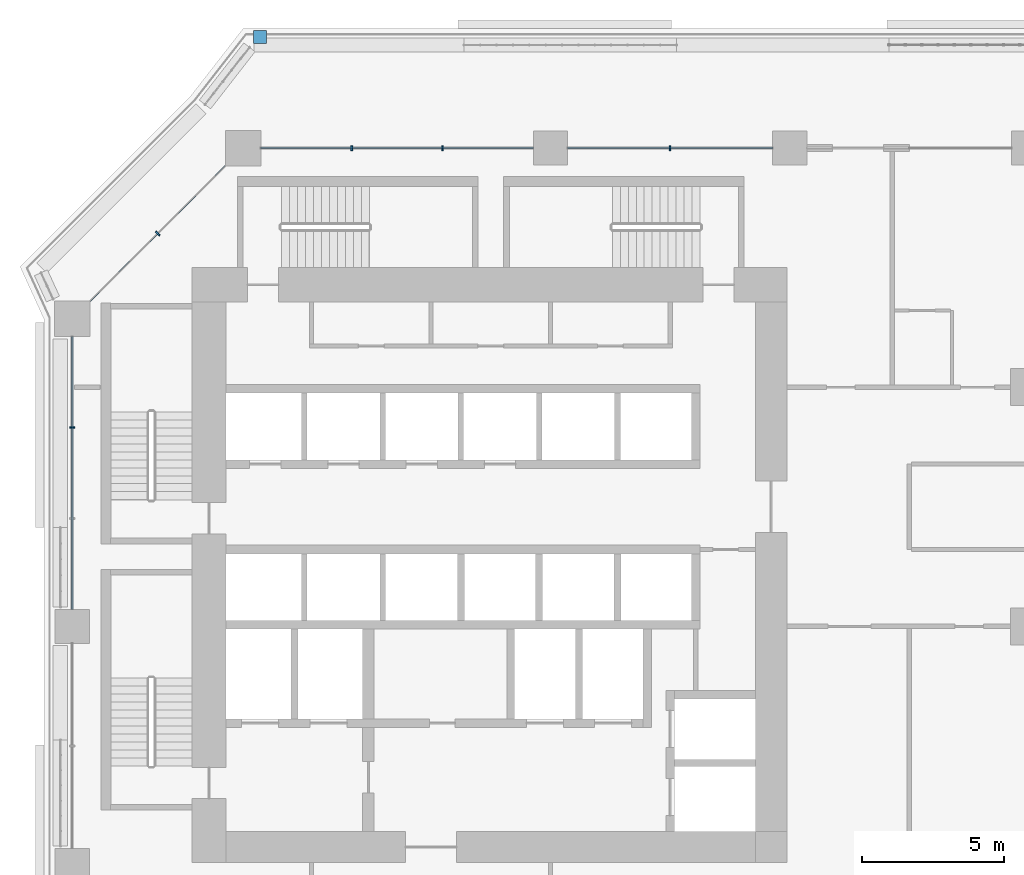
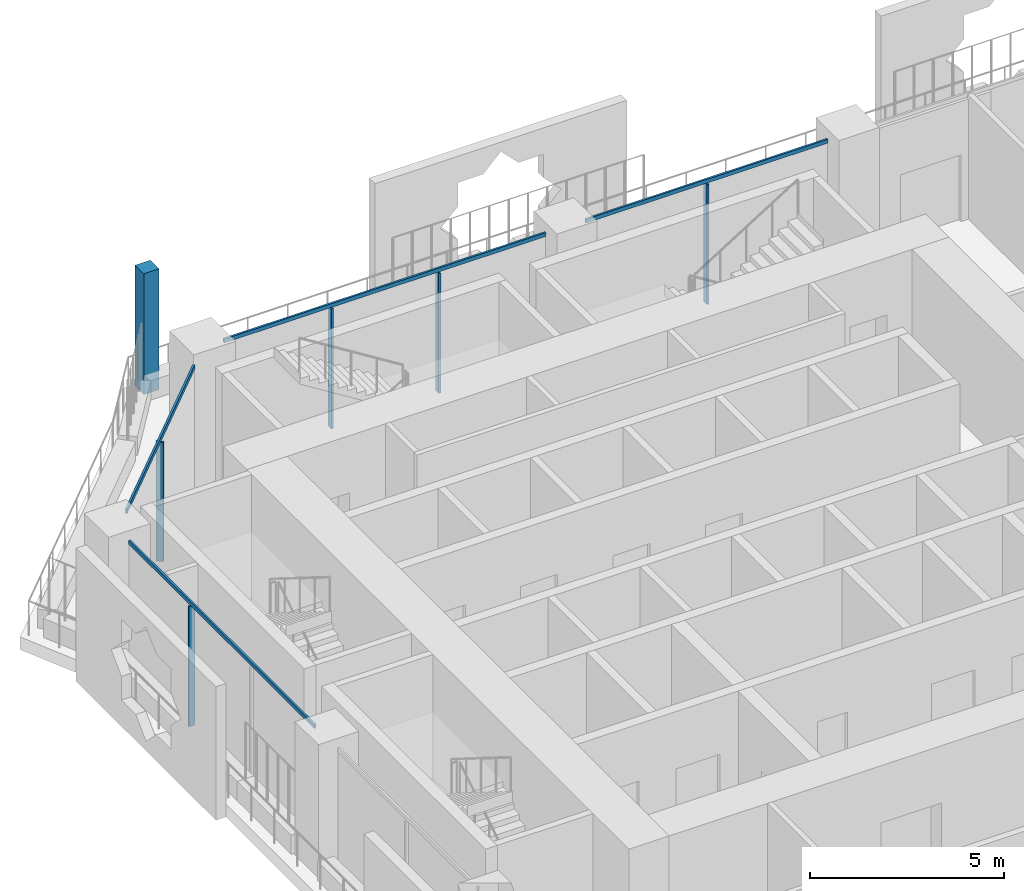
# One storey, part 8 of 28: 10 members, 4 elements without a shape of their own.
"""IFC4 building model written with IfcOpenShell, lengths in metres."""

from ifc_helpers import new_model, si_unit, direction, frame, origin, origin_2d, place, context, subcontext, project, spatial, rectangle, extrude, material, layer, layer_set, material_profile, profile_set, type_object, element, aggregate, save


model = new_model("IFC4")

# Units and contexts
model_context = context("Model", 3, precision=1e-05, world=origin(), true_north=direction((0.0, 1.0)))
body_context = subcontext(model_context, "Body", "Model", "MODEL_VIEW")
ifc_project = project(units=[si_unit("LENGTHUNIT", "METRE"), si_unit("AREAUNIT", "SQUARE_METRE"), si_unit("VOLUMEUNIT", "CUBIC_METRE"), si_unit("PLANEANGLEUNIT", "RADIAN"), si_unit("MASSUNIT", "GRAM", prefix="KILO")], contexts=[model_context])

# Site, building, storey
site_placement = place(None, origin())
site = spatial("IfcSite", under=ifc_project, at=site_placement, CompositionType="ELEMENT")
building_placement = place(site_placement, origin())
building = spatial("IfcBuilding", under=site, at=building_placement, Name="Kawkab Arch Medical Tower", CompositionType="ELEMENT")
storey_placement = place(building_placement, frame((0.0, 0.0, 81.199951171875)))
storey = spatial("IfcBuildingStorey", under=building, at=storey_placement, Name="L18", CompositionType="ELEMENT", Elevation=81.199951171875)

# Curtain wall, member
ifc_material_1 = material(Name="Bronze anodised aluminium curtain wall frame", Category="aluminium")
ifc_layer_1 = layer(ifc_material_1, 0.159912109375)
ifc_layer_set_1 = layer_set([ifc_layer_1], Name="Bronze anodised aluminium curtain wall frame")
curtain_wall_type_1 = type_object("IfcCurtainWallType", Name="CW1 ward curtain wall", PredefinedType="NOTDEFINED", material=ifc_layer_set_1)
placement = place(storey_placement, origin())
curtain_wall_1 = element("IfcCurtainWall", 1, at=placement, inside=storey, type_object=curtain_wall_type_1, Name="CW1 Ward curtain wall R01", PredefinedType="NOTDEFINED")
ifc_material_2 = material(Name="Bronze anodised aluminium curtain wall frame", Category="aluminium")
ifc_material_profile_1 = material_profile(ifc_material_2, rectangle(XDim=0.179931640625, YDim=0.06005859375, at=origin_2d()), Name="AL 60x180")
ifc_profile_set_1 = profile_set([ifc_material_profile_1], Name="Bronze anodised aluminium curtain wall frame")
member_type_1 = type_object("IfcMemberType", Name="CW1 mullion 60 x 180", PredefinedType="MULLION", material=ifc_profile_set_1)
member_1_placement = place(storey_placement, frame((0.0, -9.816650390625, 0.0), z_axis=(0.0, 0.0, 1.0), x_axis=(1.0, 0.0, 0.0)))
member_1 = element("IfcMember", 2, at=member_1_placement, type_object=member_type_1, Name="CW1 mullion 1.1", PredefinedType="MULLION", context=body_context, shape_type="SweptSolid", body=[
    extrude(rectangle(XDim=0.179931640625, YDim=0.06005859375, at=origin_2d()), origin(), (0.0, 0.0, 1.0), 3.780029296875),
])

# Curtain wall, members
curtain_wall_2 = element("IfcCurtainWall", 3, at=placement, inside=storey, type_object=curtain_wall_type_1, Name="CW1 Ward curtain wall R11", PredefinedType="NOTDEFINED")
member_2_placement = place(storey_placement, frame((21.0, 0.0, 0.0), z_axis=(0.0, 0.0, 1.0), x_axis=(0.0, -1.0, 0.0)))
member_2 = element("IfcMember", 4, at=member_2_placement, type_object=member_type_1, Name="CW1 mullion 7.1", PredefinedType="MULLION", context=body_context, shape_type="SweptSolid", body=[
    extrude(rectangle(XDim=0.179931640625, YDim=0.06005859375, at=origin_2d()), origin(), (0.0, 0.0, 1.0), 3.780029296875),
])
member_3_placement = place(storey_placement, frame((13.00830078125, 0.0, 0.0), z_axis=(0.0, 0.0, 1.0), x_axis=(0.0, -1.0, 0.0)))
member_3 = element("IfcMember", 5, at=member_3_placement, type_object=member_type_1, Name="CW1 mullion 8.1", PredefinedType="MULLION", context=body_context, shape_type="SweptSolid", body=[
    extrude(rectangle(XDim=0.179931640625, YDim=0.06005859375, at=origin_2d()), origin(), (0.0, 0.0, 1.0), 3.780029296875),
])
member_4_placement = place(storey_placement, frame((9.816650390625, 0.0, 0.0), z_axis=(0.0, 0.0, 1.0), x_axis=(0.0, -1.0, 0.0)))
member_4 = element("IfcMember", 6, at=member_4_placement, type_object=member_type_1, Name="CW1 mullion 8.2", PredefinedType="MULLION", context=body_context, shape_type="SweptSolid", body=[
    extrude(rectangle(XDim=0.179931640625, YDim=0.06005859375, at=origin_2d()), origin(), (0.0, 0.0, 1.0), 3.780029296875),
])

# Member
ifc_material_3 = material(Name="Bronze anodised aluminium curtain wall frame", Category="aluminium")
ifc_material_profile_2 = material_profile(ifc_material_3, rectangle(XDim=0.06005859375, YDim=0.1201171875, at=origin_2d()), Name="AL 60x120")
ifc_profile_set_2 = profile_set([ifc_material_profile_2], Name="Bronze anodised aluminium curtain wall frame")
member_type_2 = type_object("IfcMemberType", Name="CW1 transom 120 x 60", PredefinedType="USERDEFINED", material=ifc_profile_set_2)
member_5_placement = place(storey_placement, frame((0.0, -6.625, 3.840087890625), z_axis=(0.0, -1.0, 0.0), x_axis=(1.0, 0.0, 0.0)))
member_5 = element("IfcMember", 7, at=member_5_placement, type_object=member_type_2, Name="CW1 transom 1", ObjectType="TRANSOM", PredefinedType="USERDEFINED", context=body_context, shape_type="SweptSolid", body=[
    extrude(rectangle(XDim=0.06005859375, YDim=0.1201171875, at=origin_2d()), origin(), (0.0, 0.0, 1.0), 9.574951171875),
])

aggregate(curtain_wall_1, [member_5, member_1])

member_6_placement = place(storey_placement, frame((24.60009765625, 0.0, 3.840087890625), z_axis=(-1.0, 0.0, 0.0), x_axis=(0.0, -1.0, 0.0)))
member_6 = element("IfcMember", 8, at=member_6_placement, type_object=member_type_2, Name="CW1 transom 7", ObjectType="TRANSOM", PredefinedType="USERDEFINED", context=body_context, shape_type="SweptSolid", body=[
    extrude(rectangle(XDim=0.06005859375, YDim=0.1201171875, at=origin_2d()), origin(), (0.0, 0.0, 1.0), 7.2001953125),
])

member_7_placement = place(storey_placement, frame((16.199951171875, 0.0, 3.840087890625), z_axis=(-1.0, 0.0, 0.0), x_axis=(0.0, -1.0, 0.0)))
member_7 = element("IfcMember", 9, at=member_7_placement, type_object=member_type_2, Name="CW1 transom 8", ObjectType="TRANSOM", PredefinedType="USERDEFINED", context=body_context, shape_type="SweptSolid", body=[
    extrude(rectangle(XDim=0.06005859375, YDim=0.1201171875, at=origin_2d()), origin(), (0.0, 0.0, 1.0), 9.574951171875),
])

aggregate(curtain_wall_2, [member_6, member_2, member_7, member_3, member_4])

# Curtain wall, members
ifc_material_4 = material(Name="Bronze anodised aluminium curtain wall frame", Category="aluminium")
ifc_layer_2 = layer(ifc_material_4, 0.159912109375)
ifc_layer_set_2 = layer_set([ifc_layer_2], Name="Bronze anodised aluminium curtain wall frame")
curtain_wall_type_2 = type_object("IfcCurtainWallType", Name="CW2 chamfer curtain wall", PredefinedType="NOTDEFINED", material=ifc_layer_set_2)
curtain_wall_3 = element("IfcCurtainWall", 10, at=placement, inside=storey, type_object=curtain_wall_type_2, Name="CW2 Chamfer curtain wall R12", PredefinedType="NOTDEFINED")
ifc_material_5 = material(Name="Bronze anodised aluminium curtain wall frame", Category="aluminium")
ifc_material_profile_3 = material_profile(ifc_material_5, rectangle(XDim=0.199951171875, YDim=0.06005859375, at=origin_2d()), Name="AL 60x200")
ifc_profile_set_3 = profile_set([ifc_material_profile_3], Name="Bronze anodised aluminium curtain wall frame")
member_type_3 = type_object("IfcMemberType", Name="CW2 mullion 60 x 200", PredefinedType="MULLION", material=ifc_profile_set_3)
member_8_placement = place(storey_placement, frame((3.0, -3.0, 0.0), z_axis=(0.0, 0.0, 1.0), x_axis=(0.707106781187, -0.707106781187, 0.0)))
member_8 = element("IfcMember", 11, at=member_8_placement, type_object=member_type_3, Name="CW2 mullion 1.1", PredefinedType="MULLION", context=body_context, shape_type="SweptSolid", body=[
    extrude(rectangle(XDim=0.199951171875, YDim=0.06005859375, at=origin_2d()), origin(), (0.0, 0.0, 1.0), 3.760009765625),
])
ifc_material_6 = material(Name="Bronze anodised aluminium curtain wall frame", Category="aluminium")
ifc_material_profile_4 = material_profile(ifc_material_6, rectangle(XDim=0.06005859375, YDim=0.139892578125, at=origin_2d()), Name="AL 60x140")
ifc_profile_set_4 = profile_set([ifc_material_profile_4], Name="Bronze anodised aluminium curtain wall frame")
member_type_4 = type_object("IfcMemberType", Name="CW2 transom 140 x 60", PredefinedType="USERDEFINED", material=ifc_profile_set_4)
member_9_placement = place(storey_placement, frame((5.375, -0.625, 3.830078125), z_axis=(-0.707106781187, -0.707106781187, 0.0), x_axis=(0.707106781187, -0.707106781187, 0.0)))
member_9 = element("IfcMember", 12, at=member_9_placement, type_object=member_type_4, Name="CW2 transom 1", ObjectType="TRANSOM", PredefinedType="USERDEFINED", context=body_context, shape_type="SweptSolid", body=[
    extrude(rectangle(XDim=0.06005859375, YDim=0.139892578125, at=origin_2d()), origin(), (0.0, 0.0, 1.0), 6.717529296875),
])
aggregate(curtain_wall_3, [member_9, member_8])

# Curtain wall, member
ifc_material_7 = material(Name="Bronze anodised aluminium climber frame, planted", Category="aluminium")
ifc_layer_3 = layer(ifc_material_7, 0.449951171875)
ifc_layer_set_3 = layer_set([ifc_layer_3], Name="Bronze anodised aluminium climber frame, planted")
curtain_wall_type_3 = type_object("IfcCurtainWallType", Name="Planted climber frame", PredefinedType="NOTDEFINED", material=ifc_layer_set_3)
curtain_wall_4 = element("IfcCurtainWall", 13, at=placement, inside=storey, type_object=curtain_wall_type_3, Name="Planted climber frame L18", PredefinedType="NOTDEFINED")
ifc_material_8 = material(Name="Bronze anodised aluminium climber frame, planted", Category="aluminium")
ifc_material_profile_5 = material_profile(ifc_material_8, rectangle(XDim=0.449951171875, YDim=0.449951171875, at=origin_2d()), Name="Post 450x450")
ifc_profile_set_5 = profile_set([ifc_material_profile_5], Name="Bronze anodised aluminium climber frame, planted")
member_type_5 = type_object("IfcMemberType", Name="Planted climber post 450 x 450", PredefinedType="MULLION", material=ifc_profile_set_5)
member_10_placement = place(storey_placement, frame((6.596923828125, 3.89990234375, 0.0), z_axis=(0.0, 0.0, 1.0), x_axis=(1.0, 0.0, 0.0)))
member_10 = element("IfcMember", 14, at=member_10_placement, type_object=member_type_5, Name="Planted climber post L18.LOG-01-01.3", PredefinedType="MULLION", context=body_context, shape_type="SweptSolid", body=[
    extrude(rectangle(XDim=0.449951171875, YDim=0.449951171875, at=origin_2d()), origin(), (0.0, 0.0, 1.0), 3.800048828125),
])
aggregate(curtain_wall_4, [member_10])

save(model, "model.ifc")
